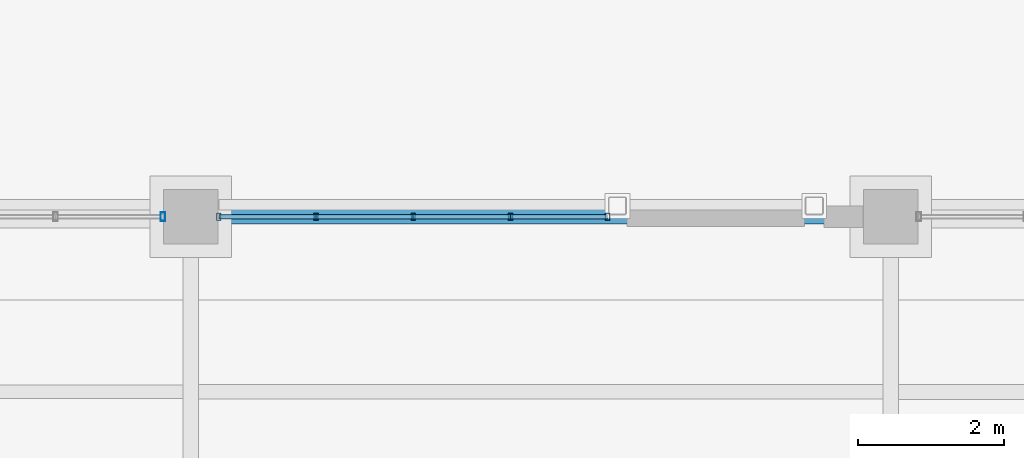
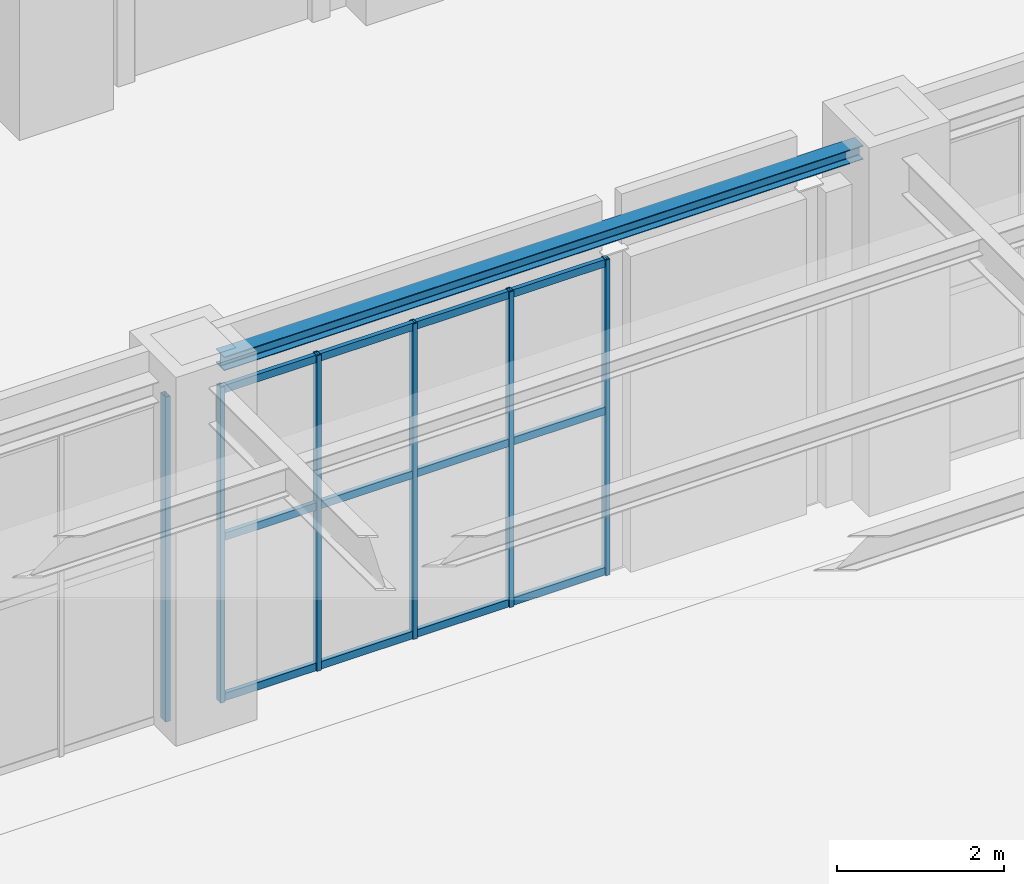
# One storey, part 33 of 164: 18 members, 1 beam, 2 elements without a shape of their own.
"""IFC4 building model written with IfcOpenShell, lengths in metres."""

from ifc_helpers import new_model, si_unit, direction, frame, origin, origin_2d, place, context, subcontext, project, spatial, hollow_rectangle, i_section, extrude, material, material_profile, profile_set, type_object, element, aggregate, save


model = new_model("IFC4")

# Units and contexts
model_context = context("Model", 3, precision=1e-05, world=origin(), true_north=direction((0.0, 1.0)))
body_context = subcontext(model_context, "Body", "Model", "MODEL_VIEW")
ifc_project = project(units=[si_unit("LENGTHUNIT", "METRE"), si_unit("AREAUNIT", "SQUARE_METRE"), si_unit("VOLUMEUNIT", "CUBIC_METRE"), si_unit("PLANEANGLEUNIT", "RADIAN"), si_unit("MASSUNIT", "GRAM", prefix="KILO")], contexts=[model_context])

# Site, building, storey
site_placement = place(None, origin())
site = spatial("IfcSite", under=ifc_project, at=site_placement, CompositionType="ELEMENT")
building_placement = place(site_placement, origin())
building = spatial("IfcBuilding", under=site, at=building_placement, Name="Mavantir Sound Aquarium", CompositionType="ELEMENT")
storey_placement = place(building_placement, origin())
storey = spatial("IfcBuildingStorey", under=building, at=storey_placement, Name="L00", CompositionType="ELEMENT", Elevation=0.0)

# Beam
ifc_material_1 = material(Name="Structural Steel ASTM A992 Gr50", Category="steel")
ifc_material_profile_1 = material_profile(ifc_material_1, i_section(OverallWidth=0.202880859375, OverallDepth=0.202880859375, WebThickness=0.007080078125, FlangeThickness=0.010986328125, FilletRadius=0.010009765625, at=origin_2d()), Name="W200X46")
ifc_profile_set_1 = profile_set([ifc_material_profile_1], Name="Structural Steel ASTM A992 Gr50")
beam_type = type_object("IfcBeamType", Name="BM-W200X46-E", PredefinedType="LINTEL", material=ifc_profile_set_1)
beam_placement = place(storey_placement, frame((9.97509765625, 28.800048828125, 4.994384765625), z_axis=(1.0, 0.0, 0.0), x_axis=(0.0, 1.0, 0.0)))
element("IfcBeam", 1, at=beam_placement, inside=storey, type_object=beam_type, Name="L00 primary beam SL-20 902", PredefinedType="LINTEL", context=body_context, shape_type="SweptSolid", body=[
    extrude(i_section(OverallWidth=0.202880859375, OverallDepth=0.202880859375, WebThickness=0.007080078125, FlangeThickness=0.010986328125, FilletRadius=0.010009765625, at=origin_2d()), origin(), (0.0, 0.0, 1.0), 8.849853515625),
])

# Curtain wall, members
ifc_material_2 = material(Name="Anodised Marine Aluminium and Low-E Glass", Category="aluminium")
curtain_wall_type_1 = type_object("IfcCurtainWallType", Name="CW-T09", PredefinedType="USERDEFINED", material=ifc_material_2)
curtain_wall_1_placement = place(storey_placement, origin())
curtain_wall_1 = element("IfcCurtainWall", 2, at=curtain_wall_1_placement, inside=storey, type_object=curtain_wall_type_1, Name="L00 unitised curtain wall CW-09 9", ObjectType="UNITISED GLAZING", PredefinedType="USERDEFINED")
ifc_material_3 = material(Name="Anodised Marine Aluminium 6063-T6", Category="aluminium")
ifc_material_profile_2 = material_profile(ifc_material_3, hollow_rectangle(XDim=0.06005859375, YDim=0.10009765625, WallThickness=0.00390625, at=origin_2d()), Name="ALU-MULLION-100X60")
ifc_profile_set_2 = profile_set([ifc_material_profile_2], Name="Anodised Marine Aluminium 6063-T6")
member_type_1 = type_object("IfcMemberType", Name="CW-MUL-100", PredefinedType="MULLION", material=ifc_profile_set_2)
member_1_placement = place(storey_placement, frame((15.31689453125, 28.800048828125, 0.0), z_axis=(0.0, 0.0, 1.0), x_axis=(1.0, 0.0, 0.0)))
member_1 = element("IfcMember", 3, at=member_1_placement, type_object=member_type_1, Name="CW-L00-009 vertical mullion 1", PredefinedType="MULLION", context=body_context, shape_type="SweptSolid", body=[
    extrude(hollow_rectangle(XDim=0.06005859375, YDim=0.10009765625, WallThickness=0.00390625, at=origin_2d()), origin(), (0.0, 0.0, 1.0), 4.62109375),
])
member_2_placement = place(storey_placement, frame((13.9833984375, 28.800048828125, 0.0), z_axis=(0.0, 0.0, 1.0), x_axis=(1.0, 0.0, 0.0)))
member_2 = element("IfcMember", 4, at=member_2_placement, type_object=member_type_1, Name="CW-L00-009 vertical mullion 2", PredefinedType="MULLION", context=body_context, shape_type="SweptSolid", body=[
    extrude(hollow_rectangle(XDim=0.06005859375, YDim=0.10009765625, WallThickness=0.00390625, at=origin_2d()), origin(), (0.0, 0.0, 1.0), 4.62109375),
])
member_3_placement = place(storey_placement, frame((12.64990234375, 28.800048828125, 0.0), z_axis=(0.0, 0.0, 1.0), x_axis=(1.0, 0.0, 0.0)))
member_3 = element("IfcMember", 5, at=member_3_placement, type_object=member_type_1, Name="CW-L00-009 vertical mullion 3", PredefinedType="MULLION", context=body_context, shape_type="SweptSolid", body=[
    extrude(hollow_rectangle(XDim=0.06005859375, YDim=0.10009765625, WallThickness=0.00390625, at=origin_2d()), origin(), (0.0, 0.0, 1.0), 4.62109375),
])
member_4_placement = place(storey_placement, frame((11.31640625, 28.800048828125, 0.0), z_axis=(0.0, 0.0, 1.0), x_axis=(1.0, 0.0, 0.0)))
member_4 = element("IfcMember", 6, at=member_4_placement, type_object=member_type_1, Name="CW-L00-009 vertical mullion 4", PredefinedType="MULLION", context=body_context, shape_type="SweptSolid", body=[
    extrude(hollow_rectangle(XDim=0.06005859375, YDim=0.10009765625, WallThickness=0.00390625, at=origin_2d()), origin(), (0.0, 0.0, 1.0), 4.62109375),
])
member_5_placement = place(storey_placement, frame((9.98291015625, 28.800048828125, 0.0), z_axis=(0.0, 0.0, 1.0), x_axis=(1.0, 0.0, 0.0)))
member_5 = element("IfcMember", 7, at=member_5_placement, type_object=member_type_1, Name="CW-L00-009 vertical mullion 5", PredefinedType="MULLION", context=body_context, shape_type="SweptSolid", body=[
    extrude(hollow_rectangle(XDim=0.06005859375, YDim=0.10009765625, WallThickness=0.00390625, at=origin_2d()), origin(), (0.0, 0.0, 1.0), 4.62109375),
])

# Curtain wall, member
curtain_wall_type_2 = type_object("IfcCurtainWallType", Name="CW-T10", PredefinedType="USERDEFINED", material=ifc_material_2)
curtain_wall_2_placement = place(storey_placement, origin())
curtain_wall_2 = element("IfcCurtainWall", 8, at=curtain_wall_2_placement, inside=storey, type_object=curtain_wall_type_2, Name="L00 unitised curtain wall CW-10 10", ObjectType="UNITISED GLAZING", PredefinedType="USERDEFINED")
ifc_material_profile_3 = material_profile(ifc_material_3, hollow_rectangle(XDim=0.06494140625, YDim=0.1201171875, WallThickness=0.00390625, at=origin_2d()), Name="ALU-MULLION-120X65")
ifc_profile_set_3 = profile_set([ifc_material_profile_3], Name="Anodised Marine Aluminium 6063-T6")
member_type_2 = type_object("IfcMemberType", Name="CW-MUL-120", PredefinedType="MULLION", material=ifc_profile_set_3)
member_6_placement = place(storey_placement, frame((9.217041015625, 28.800048828125, 0.0), z_axis=(0.0, 0.0, 1.0), x_axis=(1.0, 0.0, 0.0)))
member_6 = element("IfcMember", 9, at=member_6_placement, type_object=member_type_2, Name="CW-L00-010 vertical mullion 1", PredefinedType="MULLION", context=body_context, shape_type="SweptSolid", body=[
    extrude(hollow_rectangle(XDim=0.06494140625, YDim=0.1201171875, WallThickness=0.00390625, at=origin_2d()), origin(), (0.0, 0.0, 1.0), 4.758056640625),
])
aggregate(curtain_wall_2, [member_6])

# Member
ifc_material_profile_4 = material_profile(ifc_material_3, hollow_rectangle(XDim=0.06005859375, YDim=0.110107421875, WallThickness=0.00390625, at=origin_2d()), Name="ALU-TRANSOM-110X60")
ifc_profile_set_4 = profile_set([ifc_material_profile_4], Name="Anodised Marine Aluminium 6063-T6")
member_type_3 = type_object("IfcMemberType", Name="CW-TRN-110", PredefinedType="USERDEFINED", material=ifc_profile_set_4)
member_7_placement = place(storey_placement, frame((15.31689453125, 28.800048828125, 0.054931640625), z_axis=(-1.0, 0.0, 0.0), x_axis=(0.0, -1.0, 0.0)))
member_7 = element("IfcMember", 10, at=member_7_placement, type_object=member_type_3, Name="CW-L00-009 transom 1.1", ObjectType="TRANSOM", PredefinedType="USERDEFINED", context=body_context, shape_type="SweptSolid", body=[
    extrude(hollow_rectangle(XDim=0.06005859375, YDim=0.110107421875, WallThickness=0.00390625, at=origin_2d()), origin(), (0.0, 0.0, 1.0), 1.33349609375),
])

member_8_placement = place(storey_placement, frame((15.31689453125, 28.800048828125, 2.40283203125), z_axis=(-1.0, 0.0, 0.0), x_axis=(0.0, -1.0, 0.0)))
member_8 = element("IfcMember", 11, at=member_8_placement, type_object=member_type_3, Name="CW-L00-009 transom 1.2", ObjectType="TRANSOM", PredefinedType="USERDEFINED", context=body_context, shape_type="SweptSolid", body=[
    extrude(hollow_rectangle(XDim=0.06005859375, YDim=0.110107421875, WallThickness=0.00390625, at=origin_2d()), origin(), (0.0, 0.0, 1.0), 1.33349609375),
])

member_9_placement = place(storey_placement, frame((15.31689453125, 28.800048828125, 4.56591796875), z_axis=(-1.0, 0.0, 0.0), x_axis=(0.0, -1.0, 0.0)))
member_9 = element("IfcMember", 12, at=member_9_placement, type_object=member_type_3, Name="CW-L00-009 transom 1.3", ObjectType="TRANSOM", PredefinedType="USERDEFINED", context=body_context, shape_type="SweptSolid", body=[
    extrude(hollow_rectangle(XDim=0.06005859375, YDim=0.110107421875, WallThickness=0.00390625, at=origin_2d()), origin(), (0.0, 0.0, 1.0), 1.33349609375),
])

member_10_placement = place(storey_placement, frame((13.9833984375, 28.800048828125, 0.054931640625), z_axis=(-1.0, 0.0, 0.0), x_axis=(0.0, -1.0, 0.0)))
member_10 = element("IfcMember", 13, at=member_10_placement, type_object=member_type_3, Name="CW-L00-009 transom 2.1", ObjectType="TRANSOM", PredefinedType="USERDEFINED", context=body_context, shape_type="SweptSolid", body=[
    extrude(hollow_rectangle(XDim=0.06005859375, YDim=0.110107421875, WallThickness=0.00390625, at=origin_2d()), origin(), (0.0, 0.0, 1.0), 1.33349609375),
])

member_11_placement = place(storey_placement, frame((13.9833984375, 28.800048828125, 2.40283203125), z_axis=(-1.0, 0.0, 0.0), x_axis=(0.0, -1.0, 0.0)))
member_11 = element("IfcMember", 14, at=member_11_placement, type_object=member_type_3, Name="CW-L00-009 transom 2.2", ObjectType="TRANSOM", PredefinedType="USERDEFINED", context=body_context, shape_type="SweptSolid", body=[
    extrude(hollow_rectangle(XDim=0.06005859375, YDim=0.110107421875, WallThickness=0.00390625, at=origin_2d()), origin(), (0.0, 0.0, 1.0), 1.33349609375),
])

member_12_placement = place(storey_placement, frame((13.9833984375, 28.800048828125, 4.56591796875), z_axis=(-1.0, 0.0, 0.0), x_axis=(0.0, -1.0, 0.0)))
member_12 = element("IfcMember", 15, at=member_12_placement, type_object=member_type_3, Name="CW-L00-009 transom 2.3", ObjectType="TRANSOM", PredefinedType="USERDEFINED", context=body_context, shape_type="SweptSolid", body=[
    extrude(hollow_rectangle(XDim=0.06005859375, YDim=0.110107421875, WallThickness=0.00390625, at=origin_2d()), origin(), (0.0, 0.0, 1.0), 1.33349609375),
])

member_13_placement = place(storey_placement, frame((12.64990234375, 28.800048828125, 0.054931640625), z_axis=(-1.0, 0.0, 0.0), x_axis=(0.0, -1.0, 0.0)))
member_13 = element("IfcMember", 16, at=member_13_placement, type_object=member_type_3, Name="CW-L00-009 transom 3.1", ObjectType="TRANSOM", PredefinedType="USERDEFINED", context=body_context, shape_type="SweptSolid", body=[
    extrude(hollow_rectangle(XDim=0.06005859375, YDim=0.110107421875, WallThickness=0.00390625, at=origin_2d()), origin(), (0.0, 0.0, 1.0), 1.33349609375),
])

member_14_placement = place(storey_placement, frame((12.64990234375, 28.800048828125, 2.40283203125), z_axis=(-1.0, 0.0, 0.0), x_axis=(0.0, -1.0, 0.0)))
member_14 = element("IfcMember", 17, at=member_14_placement, type_object=member_type_3, Name="CW-L00-009 transom 3.2", ObjectType="TRANSOM", PredefinedType="USERDEFINED", context=body_context, shape_type="SweptSolid", body=[
    extrude(hollow_rectangle(XDim=0.06005859375, YDim=0.110107421875, WallThickness=0.00390625, at=origin_2d()), origin(), (0.0, 0.0, 1.0), 1.33349609375),
])

member_15_placement = place(storey_placement, frame((12.64990234375, 28.800048828125, 4.56591796875), z_axis=(-1.0, 0.0, 0.0), x_axis=(0.0, -1.0, 0.0)))
member_15 = element("IfcMember", 18, at=member_15_placement, type_object=member_type_3, Name="CW-L00-009 transom 3.3", ObjectType="TRANSOM", PredefinedType="USERDEFINED", context=body_context, shape_type="SweptSolid", body=[
    extrude(hollow_rectangle(XDim=0.06005859375, YDim=0.110107421875, WallThickness=0.00390625, at=origin_2d()), origin(), (0.0, 0.0, 1.0), 1.33349609375),
])

member_16_placement = place(storey_placement, frame((11.31640625, 28.800048828125, 0.054931640625), z_axis=(-1.0, 0.0, 0.0), x_axis=(0.0, -1.0, 0.0)))
member_16 = element("IfcMember", 19, at=member_16_placement, type_object=member_type_3, Name="CW-L00-009 transom 4.1", ObjectType="TRANSOM", PredefinedType="USERDEFINED", context=body_context, shape_type="SweptSolid", body=[
    extrude(hollow_rectangle(XDim=0.06005859375, YDim=0.110107421875, WallThickness=0.00390625, at=origin_2d()), origin(), (0.0, 0.0, 1.0), 1.33349609375),
])

member_17_placement = place(storey_placement, frame((11.31640625, 28.800048828125, 2.40283203125), z_axis=(-1.0, 0.0, 0.0), x_axis=(0.0, -1.0, 0.0)))
member_17 = element("IfcMember", 20, at=member_17_placement, type_object=member_type_3, Name="CW-L00-009 transom 4.2", ObjectType="TRANSOM", PredefinedType="USERDEFINED", context=body_context, shape_type="SweptSolid", body=[
    extrude(hollow_rectangle(XDim=0.06005859375, YDim=0.110107421875, WallThickness=0.00390625, at=origin_2d()), origin(), (0.0, 0.0, 1.0), 1.33349609375),
])

member_18_placement = place(storey_placement, frame((11.31640625, 28.800048828125, 4.56591796875), z_axis=(-1.0, 0.0, 0.0), x_axis=(0.0, -1.0, 0.0)))
member_18 = element("IfcMember", 21, at=member_18_placement, type_object=member_type_3, Name="CW-L00-009 transom 4.3", ObjectType="TRANSOM", PredefinedType="USERDEFINED", context=body_context, shape_type="SweptSolid", body=[
    extrude(hollow_rectangle(XDim=0.06005859375, YDim=0.110107421875, WallThickness=0.00390625, at=origin_2d()), origin(), (0.0, 0.0, 1.0), 1.33349609375),
])

aggregate(curtain_wall_1, [member_1, member_2, member_3, member_4, member_5, member_7, member_8, member_9, member_10, member_11, member_12, member_13, member_14, member_15, member_16, member_17, member_18])

save(model, "model.ifc")
